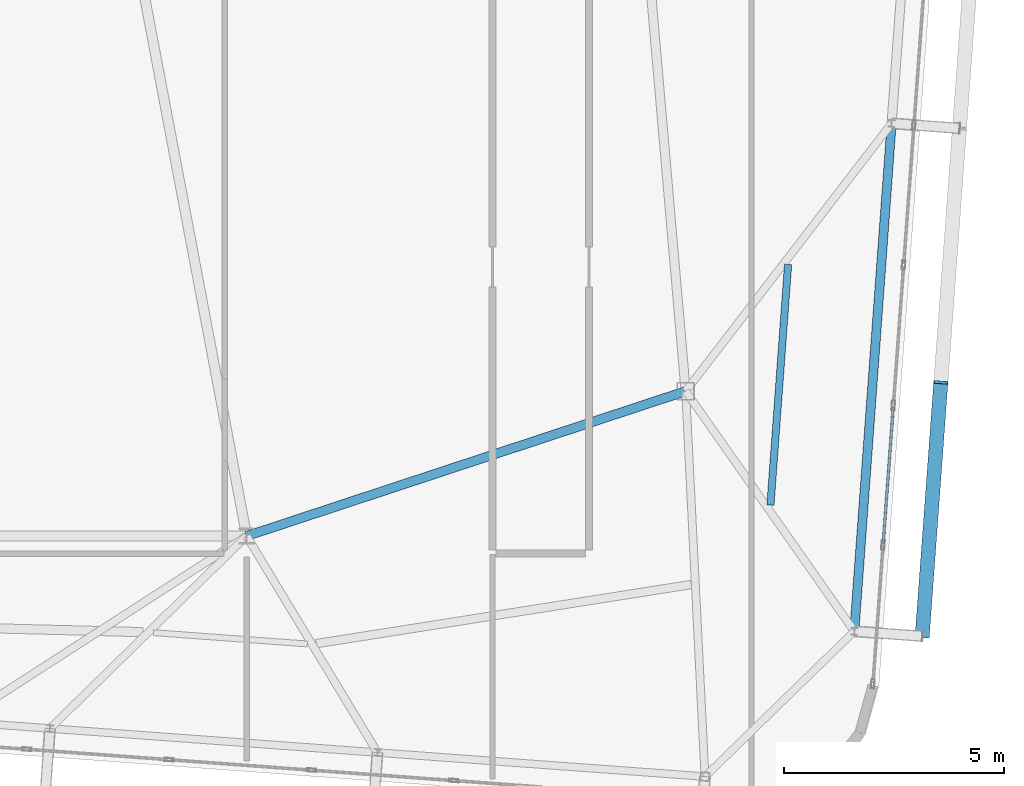
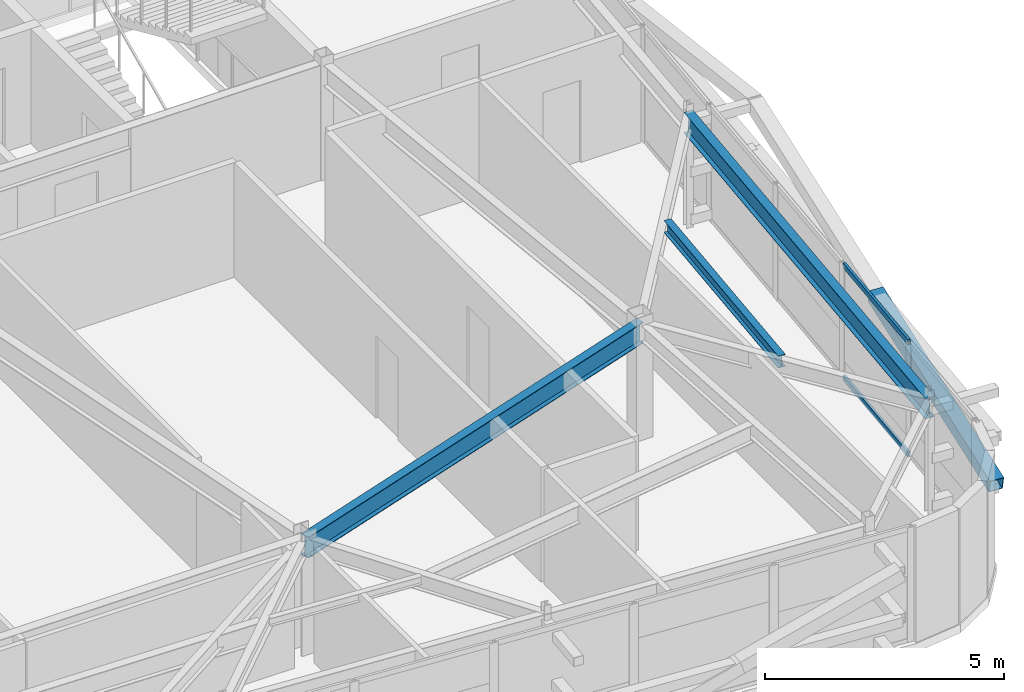
# One storey, part 20 of 42: 3 beams, 3 members, 1 element without a shape of its own.
"""IFC4 building model written with IfcOpenShell, lengths in metres."""

import ifcopenshell
import ifcopenshell.guid

model = None  # the IFC model being written
_history = None  # IfcOwnerHistory: only IFC2X3 demands one
_inside = {}  # id of a spatial element -> (the spatial element, [elements in it])
_under = {}  # id of a project, library or spatial element -> (it, [spatial elements below it])
_declared = {}  # id of a project -> (the project, [libraries it declares])
_typed = {}  # id of a type object -> (the type object, [elements of that type])
_made_of = {}  # id of a material, layer set ... -> (it, [elements and type objects made of it])


def new_model(schema):
    """Start an empty IFC model of exactly this schema.

    Asked for "IFC4X3", IfcOpenShell would pick the latest addendum, in which some entities
    have other attributes; the version numbers below select the first issue.
    IFC2X3 requires an IfcOwnerHistory on every rooted entity: one is made here for all.
    """
    global model, _history
    if schema == "IFC4X3":
        model = ifcopenshell.file(schema_version=(4, 3, 0, 0))
    else:
        model = ifcopenshell.file(schema=schema)
    _inside.clear()
    _under.clear()
    _declared.clear()
    _typed.clear()
    _made_of.clear()
    _history = None
    if model.schema == "IFC2X3":
        org = make("IfcOrganization", Name="unknown")
        user = make(
            "IfcPersonAndOrganization",
            ThePerson=make("IfcPerson", FamilyName="unknown"),
            TheOrganization=org,
        )
        app = make(
            "IfcApplication",
            ApplicationDeveloper=org,
            Version="unknown",
            ApplicationFullName="unknown",
            ApplicationIdentifier="unknown",
        )
        _history = make(
            "IfcOwnerHistory",
            OwningUser=user,
            OwningApplication=app,
            ChangeAction="ADDED",
            CreationDate=0,
        )
    return model


def make(cls, **values):
    """One entity of the class cls with the attributes given. An attribute that is None is left unset."""
    return model.create_entity(
        cls, **{name: value for name, value in values.items() if value is not None}
    )


def rooted(cls, **values):
    """An entity with a GlobalId (a new one), such as an element, a storey or a relation."""
    return make(cls, GlobalId=ifcopenshell.guid.new(), OwnerHistory=_history, **values)


def si_unit(unit_type, name, prefix=None):
    """IfcSIUnit, for example si_unit("LENGTHUNIT", "METRE", prefix="MILLI")."""
    return make("IfcSIUnit", UnitType=unit_type, Prefix=prefix, Name=name)


def assignment(units):
    """IfcUnitAssignment: the units of a project."""
    return None if units is None else make("IfcUnitAssignment", Units=units)


def point(xyz):
    """IfcCartesianPoint."""
    return None if xyz is None else make("IfcCartesianPoint", Coordinates=xyz)


def direction(xyz):
    """IfcDirection."""
    return None if xyz is None else make("IfcDirection", DirectionRatios=xyz)


def frame(location, z_axis=None, x_axis=None):
    """IfcAxis2Placement3D, a coordinate frame: its origin and axes. An axis left out is left unset."""
    return make(
        "IfcAxis2Placement3D",
        Location=point(location),
        Axis=direction(z_axis),
        RefDirection=direction(x_axis),
    )


def frame_2d(location, x_axis=None):
    """IfcAxis2Placement2D, a coordinate frame in the plane: its origin and x axis."""
    return make(
        "IfcAxis2Placement2D", Location=point(location), RefDirection=direction(x_axis)
    )


def origin():
    """The frame at (0, 0, 0) with its axes left unset."""
    return frame((0.0, 0.0, 0.0))


def origin_2d():
    """The frame at (0, 0) in the plane with its x axis left unset."""
    return frame_2d((0.0, 0.0))


def place(relative_to, where):
    """IfcLocalPlacement: puts the frame where relative to a parent placement (None: the world)."""
    return make(
        "IfcLocalPlacement", PlacementRelTo=relative_to, RelativePlacement=where
    )


def context(
    kind, dimensions, precision=None, world=None, true_north=None, identifier=None
):
    """IfcGeometricRepresentationContext, for example the 3D "Model" context."""
    return make(
        "IfcGeometricRepresentationContext",
        ContextIdentifier=identifier,
        ContextType=kind,
        CoordinateSpaceDimension=dimensions,
        Precision=precision,
        WorldCoordinateSystem=world,
        TrueNorth=true_north,
    )


def subcontext(parent, identifier, kind, view, scale=None):
    """IfcGeometricRepresentationSubContext, for example "Body" below "Model"."""
    return make(
        "IfcGeometricRepresentationSubContext",
        ContextIdentifier=identifier,
        ContextType=kind,
        ParentContext=parent,
        TargetScale=scale,
        TargetView=view,
    )


def project(units=None, contexts=None):
    """IfcProject with its units and contexts."""
    return rooted(
        "IfcProject",
        Name="project",
        RepresentationContexts=contexts,
        UnitsInContext=assignment(units),
    )


def spatial(cls, under=None, at=None, **own):
    """A site, building, storey or space (cls), placed at a placement, below another one or the project."""
    s = rooted(cls, ObjectPlacement=at, **own)
    if under is not None:
        _under.setdefault(under.id(), (under, []))[1].append(s)
    return s


def profile(cls, at=None, kind="AREA", **sizes):
    """A parametric profile (cls). Its sizes go by their IFC names, for example OverallWidth=200.0."""
    return make(cls, ProfileType=kind, Position=at, **sizes)


def hollow_rectangle(**sizes):
    """IfcRectangleHollowProfileDef."""
    return profile("IfcRectangleHollowProfileDef", **sizes)


def i_section(**sizes):
    """IfcIShapeProfileDef."""
    return profile("IfcIShapeProfileDef", **sizes)


def extrude(swept, where, along, depth):
    """IfcExtrudedAreaSolid: the profile swept, set in the frame where, extruded along a direction by depth."""
    return make(
        "IfcExtrudedAreaSolid",
        SweptArea=swept,
        Position=where,
        ExtrudedDirection=direction(along),
        Depth=depth,
    )


def shape(context_of_items, identifier, shape_type, items):
    """IfcShapeRepresentation: the items that make up one representation, for example the "Body"."""
    return make(
        "IfcShapeRepresentation",
        ContextOfItems=context_of_items,
        RepresentationIdentifier=identifier,
        RepresentationType=shape_type,
        Items=items,
    )


def source(mapping_origin, context_of_items, identifier, shape_type, items):
    """IfcRepresentationMap: a shape defined once, which mapped items show again and again."""
    return make(
        "IfcRepresentationMap",
        MappingOrigin=mapping_origin,
        MappedRepresentation=shape(context_of_items, identifier, shape_type, items),
    )


def transform(
    local_origin,
    x_axis=None,
    y_axis=None,
    z_axis=None,
    scale=None,
    scale2=None,
    scale3=None,
    uniform=True,
):
    """IfcCartesianTransformationOperator3D, or its non-uniform kind. x_axis, y_axis, z_axis: its Axis1, 2, 3."""
    if uniform:
        return make(
            "IfcCartesianTransformationOperator3D",
            Axis1=direction(x_axis),
            Axis2=direction(y_axis),
            LocalOrigin=point(local_origin),
            Scale=scale,
            Axis3=direction(z_axis),
        )
    return make(
        "IfcCartesianTransformationOperator3DnonUniform",
        Axis1=direction(x_axis),
        Axis2=direction(y_axis),
        LocalOrigin=point(local_origin),
        Scale=scale,
        Axis3=direction(z_axis),
        Scale2=scale2,
        Scale3=scale3,
    )


def mapped(mapping_source, mapping_target):
    """IfcMappedItem: shows the shape of a source again, moved by a transform."""
    return make(
        "IfcMappedItem", MappingSource=mapping_source, MappingTarget=mapping_target
    )


def material(Name=None, Category=None):
    """IfcMaterial."""
    return make("IfcMaterial", Name=Name, Category=Category)


def layer(
    of_material, thickness, ventilated=None, Name=None, Category=None, Priority=None
):
    """IfcMaterialLayer: one layer of a wall or slab, of a material (None: an air gap)."""
    return make(
        "IfcMaterialLayer",
        Material=of_material,
        LayerThickness=thickness,
        IsVentilated=ventilated,
        Name=Name,
        Category=Category,
        Priority=Priority,
    )


def layer_set(layers, Name=None):
    """IfcMaterialLayerSet."""
    return make("IfcMaterialLayerSet", MaterialLayers=layers, LayerSetName=Name)


def material_profile(
    of_material, cross_section, Name=None, Category=None, Priority=None
):
    """IfcMaterialProfile: a cross section and its material."""
    return make(
        "IfcMaterialProfile",
        Name=Name,
        Material=of_material,
        Profile=cross_section,
        Priority=Priority,
        Category=Category,
    )


def profile_set(profiles, Name=None, composite=None):
    """IfcMaterialProfileSet."""
    return make(
        "IfcMaterialProfileSet",
        Name=Name,
        MaterialProfiles=profiles,
        CompositeProfile=composite,
    )


def made_of(thing, what):
    """Note that an element or type object is made of a material, layer set ...; save() writes the relation."""
    if what is not None:
        _made_of.setdefault(what.id(), (what, []))[1].append(thing)
    return thing


def type_object(cls, material=None, **own):
    """A type object (cls), such as IfcWallType, which elements share."""
    return made_of(rooted(cls, **own), material)


def element(
    cls,
    number,
    at=None,
    inside=None,
    cuts=None,
    type_object=None,
    material=None,
    context=None,
    identifier="Body",
    shape_type=None,
    held_by="IfcProductDefinitionShape",
    body=None,
    shapes=None,
    **own,
):
    """One element of the class cls, such as IfcWall. Its Tag is "e" and its number.

    at: its placement. inside: the storey or other place that contains it. cuts: it is an
    opening in that element (IfcRelVoidsElement). A single representation is given by context,
    identifier, shape_type and body (its items); several are given by shapes. held_by: the class
    of the entity that holds the representations. save() writes the other relations.
    """
    e = rooted(cls, Tag="e%d" % number, ObjectPlacement=at, **own)
    if body is not None:
        shapes = [shape(context, identifier, shape_type, body)]
    if shapes is not None:
        e.Representation = make(held_by, Representations=shapes)
    if inside is not None:
        _inside.setdefault(inside.id(), (inside, []))[1].append(e)
    if cuts is not None:
        rooted(
            "IfcRelVoidsElement", RelatingBuildingElement=cuts, RelatedOpeningElement=e
        )
    if type_object is not None:
        _typed.setdefault(type_object.id(), (type_object, []))[1].append(e)
    return made_of(e, material)


def aggregate(whole, parts):
    """IfcRelAggregates: a whole, such as a stair, and the parts it consists of."""
    return rooted("IfcRelAggregates", RelatingObject=whole, RelatedObjects=parts)


def save(model, path):
    """Write the relations noted so far, then the file.

    IfcRelAggregates (storeys below a building ...), IfcRelContainedInSpatialStructure (elements
    in a storey), IfcRelDefinesByType, IfcRelAssociatesMaterial and IfcRelDeclares: one each for
    every whole, place, type object, material and project.
    """
    for whole, parts in _under.values():
        aggregate(whole, parts)
    for where, things in _inside.values():
        rooted(
            "IfcRelContainedInSpatialStructure",
            RelatedElements=things,
            RelatingStructure=where,
        )
    for kind, things in _typed.values():
        rooted("IfcRelDefinesByType", RelatedObjects=things, RelatingType=kind)
    for what, things in _made_of.values():
        rooted("IfcRelAssociatesMaterial", RelatedObjects=things, RelatingMaterial=what)
    for by, libraries in _declared.values():
        rooted("IfcRelDeclares", RelatingContext=by, RelatedDefinitions=libraries)
    model.write(path)


model = new_model("IFC4")

# Units and contexts
model_context = context("Model", 3, precision=1e-05, world=origin(), true_north=direction((0.0, 1.0)))
body_context = subcontext(model_context, "Body", "Model", "MODEL_VIEW")
ifc_project = project(units=[si_unit("LENGTHUNIT", "METRE"), si_unit("AREAUNIT", "SQUARE_METRE"), si_unit("VOLUMEUNIT", "CUBIC_METRE"), si_unit("PLANEANGLEUNIT", "RADIAN"), si_unit("MASSUNIT", "GRAM", prefix="KILO")], contexts=[model_context])

# Site, building, storey
site_placement = place(None, origin())
site = spatial("IfcSite", under=ifc_project, at=site_placement, CompositionType="ELEMENT")
building_placement = place(site_placement, origin())
building = spatial("IfcBuilding", under=site, at=building_placement, Name="Taldren Reach Tower", CompositionType="ELEMENT")
storey_placement = place(building_placement, frame((0.0, 0.0, 217.699951171875)))
storey = spatial("IfcBuildingStorey", under=building, at=storey_placement, Name="L66", CompositionType="ELEMENT", Elevation=217.699951171875)

# Beams
ifc_material_1 = material(Name="Steel Gr 350 (350PLUS)", Category="steel")
ifc_material_profile_1 = material_profile(ifc_material_1, i_section(OverallWidth=0.208984375, OverallDepth=0.532958984375, WebThickness=0.01025390625, FlangeThickness=0.015625, at=origin_2d()), Name="530UB92.4")
ifc_profile_set_1 = profile_set([ifc_material_profile_1], Name="Steel Gr 350 (350PLUS)")
beam_type_1 = type_object("IfcBeamType", Name="BM-UB530A", PredefinedType="BEAM", material=ifc_profile_set_1)
shared_shape_1 = source(origin(), body_context, "Body", "SweptSolid", [
    extrude(i_section(OverallWidth=0.208984375, OverallDepth=0.532958984375, WebThickness=0.01025390625, FlangeThickness=0.015625, at=origin_2d()), origin(), (0.0, 0.0, 1.0), 10.530517578125),
])
beam_1_placement = place(storey_placement, frame((42.0, 9.199951171875, 2.66357421875), z_axis=(0.949627269203, 0.313381635689, 0.0), x_axis=(-0.313381635689, 0.949627269203, 0.0)))
element("IfcBeam", 1, at=beam_1_placement, inside=storey, type_object=beam_type_1, Name="Core-spine girder L66-SP12", PredefinedType="BEAM", context=body_context, shape_type="MappedRepresentation", body=[
    mapped(shared_shape_1, transform((0.0, 0.0, 0.0), scale=1.0)),
])
ifc_material_profile_2 = material_profile(ifc_material_1, i_section(OverallWidth=0.208984375, OverallDepth=0.528076171875, WebThickness=0.009521484375, FlangeThickness=0.01318359375, at=origin_2d()), Name="530UB82.0")
ifc_profile_set_2 = profile_set([ifc_material_profile_2], Name="Steel Gr 350 (350PLUS)")
beam_type_2 = type_object("IfcBeamType", Name="SP-UB530B", PredefinedType="SPANDREL", material=ifc_profile_set_2)
shared_shape_2 = source(origin(), body_context, "Body", "SweptSolid", [
    extrude(i_section(OverallWidth=0.208984375, OverallDepth=0.528076171875, WebThickness=0.009521484375, FlangeThickness=0.01318359375, at=origin_2d()), origin(), (0.0, 0.0, 1.0), 11.60009765625),
])
beam_2_placement = place(storey_placement, frame((55.841796875, 7.031005859375, 2.666015625), z_axis=(0.073242167855, 0.997314185625, 0.0), x_axis=(-0.997314185625, 0.073242167855, 0.0)))
element("IfcBeam", 2, at=beam_2_placement, inside=storey, type_object=beam_type_2, Name="Perimeter spandrel B5 E1-E2 L66", PredefinedType="SPANDREL", context=body_context, shape_type="MappedRepresentation", body=[
    mapped(shared_shape_2, transform((0.0, 0.0, 0.0), scale=1.0)),
])
ifc_material_2 = material(Name="Steel Gr 300 (300PLUS, 300 MPa)", Category="steel")
ifc_material_profile_3 = material_profile(ifc_material_2, i_section(OverallWidth=0.166015625, OverallDepth=0.306884765625, WebThickness=0.006591796875, FlangeThickness=0.01171875, at=origin_2d()), Name="310UB46.2")
ifc_profile_set_3 = profile_set([ifc_material_profile_3], Name="Steel Gr 300 (300PLUS, 300 MPa)")
beam_type_3 = type_object("IfcBeamType", Name="JS-UB310", PredefinedType="JOIST", material=ifc_profile_set_3)
shared_shape_3 = source(origin(), body_context, "Body", "SweptSolid", [
    extrude(i_section(OverallWidth=0.166015625, OverallDepth=0.306884765625, WebThickness=0.006591796875, FlangeThickness=0.01171875, at=origin_2d()), origin(), (0.0, 0.0, 1.0), 5.49755859375),
])
beam_3_placement = place(storey_placement, frame((53.93115234375, 9.905517578125, 2.776611328125), z_axis=(0.073228814191, 0.99731516622, 0.0), x_axis=(-0.99731516622, 0.073228814191, 0.0)))
element("IfcBeam", 3, at=beam_3_placement, inside=storey, type_object=beam_type_3, Name="Secondary floor joist B5 J7 L66", PredefinedType="JOIST", context=body_context, shape_type="MappedRepresentation", body=[
    mapped(shared_shape_3, transform((0.0, 0.0, 0.0), scale=1.0)),
])

# Member
ifc_material_3 = material(Name="Steel Gr 450 (C450L0)", Category="steel")
ifc_material_profile_4 = material_profile(ifc_material_3, hollow_rectangle(XDim=0.324951171875, YDim=0.324951171875, WallThickness=0.0126953125, at=origin_2d()), Name="325x325x12.7SHS")
ifc_profile_set_4 = profile_set([ifc_material_profile_4], Name="Steel Gr 450 (C450L0)")
member_type_1 = type_object("IfcMemberType", Name="MB-BR324", PredefinedType="BRACE", material=ifc_profile_set_4)
shared_shape_4 = source(origin(), body_context, "Body", "SweptSolid", [
    extrude(hollow_rectangle(XDim=0.324951171875, YDim=0.324951171875, WallThickness=0.0126953125, at=origin_2d()), origin(), (0.0, 0.0, 1.0), 5.92578125),
])
member_1_placement = place(storey_placement, frame((57.3876953125, 6.91748046875, 0.219970703125), z_axis=(0.071644948114, 0.976126368983, 0.205047099921), x_axis=(-0.997317259472, 0.073200300267, 0.0)))
element("IfcMember", 4, at=member_1_placement, inside=storey, type_object=member_type_1, Name="Exoskeleton Diagrid Brace B5-E1 L66", PredefinedType="BRACE", context=body_context, shape_type="MappedRepresentation", body=[
    mapped(shared_shape_4, transform((0.0, 0.0, 0.0), scale=1.0)),
])

# Curtain wall, members
ifc_material_4 = material(Name="Aluminium and Low-E Glass Unitised System", Category="aluminium")
ifc_layer = layer(ifc_material_4, 0.159912109375)
ifc_layer_set = layer_set([ifc_layer], Name="Aluminium and Low-E Glass Unitised System")
curtain_wall_type = type_object("IfcCurtainWallType", Name="CW-SYS-6", PredefinedType="NOTDEFINED", material=ifc_layer_set)
curtain_wall_placement = place(storey_placement, origin())
curtain_wall = element("IfcCurtainWall", 5, at=curtain_wall_placement, inside=storey, type_object=curtain_wall_type, Name="Unitised curtain wall CW-L66-E", PredefinedType="NOTDEFINED")
ifc_material_5 = material(Name="Anodised Aluminium 6063-T6", Category="aluminium")
ifc_material_profile_5 = material_profile(ifc_material_5, hollow_rectangle(XDim=0.06005859375, YDim=0.135009765625, WallThickness=0.00341796875, at=origin_2d()), Name="ALU-135x60x3.5RHS")
ifc_profile_set_5 = profile_set([ifc_material_profile_5], Name="Anodised Aluminium 6063-T6")
member_type_2 = type_object("IfcMemberType", Name="CW-TRN-150", PredefinedType="USERDEFINED", material=ifc_profile_set_5)
shared_shape_5 = source(origin(), body_context, "Body", "SweptSolid", [
    extrude(hollow_rectangle(XDim=0.06005859375, YDim=0.135009765625, WallThickness=0.00341796875, at=origin_2d()), origin(), (0.0, 0.0, 1.0), 3.124755859375),
])
member_2_placement = place(storey_placement, frame((56.49951171875, 9.025634765625, 0.030029296875), z_axis=(0.073284589347, 0.997311069308, 0.0), x_axis=(-0.997311069308, 0.073284589347, 0.0)))
member_2 = element("IfcMember", 6, at=member_2_placement, type_object=member_type_2, Name="CW-6 transom 2.1", ObjectType="TRANSOM", PredefinedType="USERDEFINED", context=body_context, shape_type="MappedRepresentation", body=[
    mapped(shared_shape_5, transform((0.0, 0.0, 0.0), scale=1.0)),
])
member_3_placement = place(storey_placement, frame((56.49951171875, 9.025634765625, 2.900146484375), z_axis=(0.073284589347, 0.997311069308, 0.0), x_axis=(-0.997311069308, 0.073284589347, 0.0)))
member_3 = element("IfcMember", 7, at=member_3_placement, type_object=member_type_2, Name="CW-6 transom 2.2", ObjectType="TRANSOM", PredefinedType="USERDEFINED", context=body_context, shape_type="MappedRepresentation", body=[
    mapped(shared_shape_5, transform((0.0, 0.0, 0.0), scale=1.0)),
])
aggregate(curtain_wall, [member_2, member_3])

save(model, "model.ifc")
